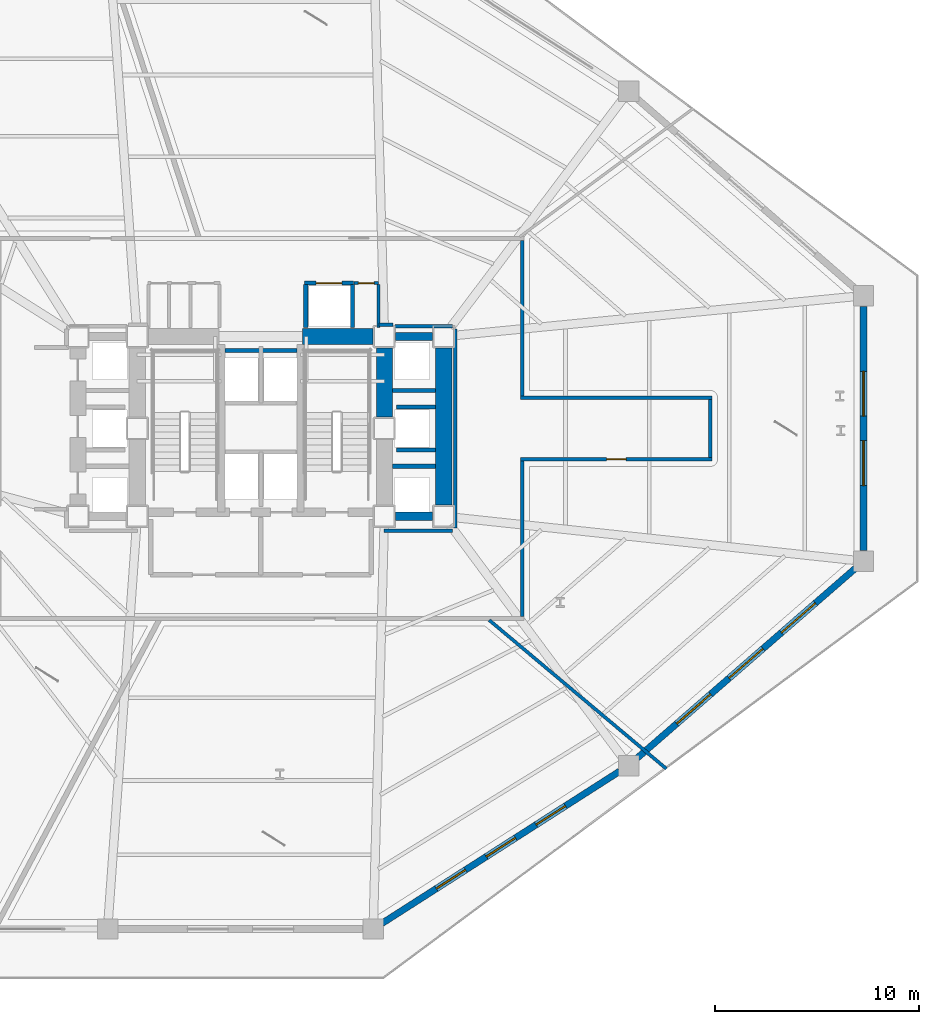
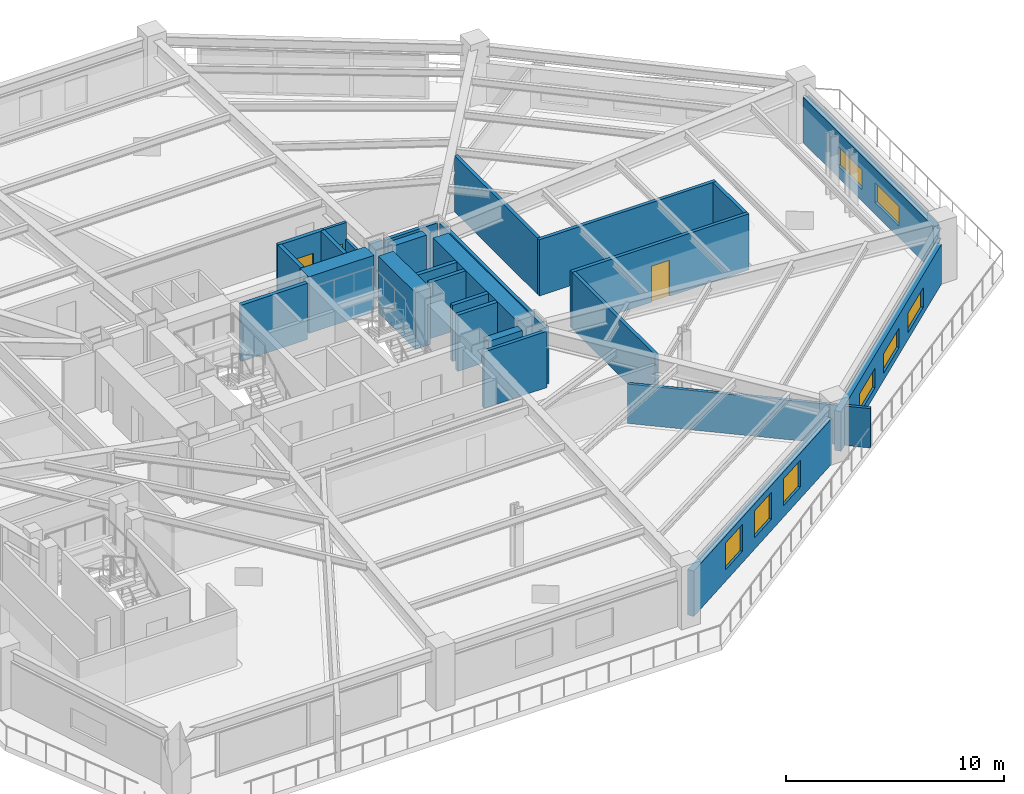
# One storey, part 7 of 12: 28 walls, 8 windows, 3 doors, 11 openings.
"""IFC4 building model written with IfcOpenShell, lengths in metres."""

from ifc_helpers import new_model, si_unit, direction, frame, frame_2d, origin, place, context, subcontext, project, spatial, rectangle, extrude, material, layer, layer_set, type_object, element, fill, save


model = new_model("IFC4")

# Units and contexts
model_context = context("Model", 3, precision=1e-05, world=origin(), true_north=direction((0.0, 1.0)))
body_context = subcontext(model_context, "Body", "Model", "MODEL_VIEW")
ifc_project = project(units=[si_unit("LENGTHUNIT", "METRE"), si_unit("AREAUNIT", "SQUARE_METRE"), si_unit("VOLUMEUNIT", "CUBIC_METRE"), si_unit("PLANEANGLEUNIT", "RADIAN"), si_unit("MASSUNIT", "GRAM", prefix="KILO")], contexts=[model_context])

# Site, building, storey
site_placement = place(None, origin())
site = spatial("IfcSite", under=ifc_project, at=site_placement, CompositionType="ELEMENT")
building_placement = place(site_placement, origin())
building = spatial("IfcBuilding", under=site, at=building_placement, Name="Rocaltana Carrier Exchange", CompositionType="ELEMENT")
storey_placement = place(building_placement, frame((0.0, 0.0, 11.840087890625)))
storey = spatial("IfcBuildingStorey", under=building, at=storey_placement, Name="L04", CompositionType="ELEMENT", Elevation=11.840087890625)

# Walls
ifc_material_1 = material(Name="Double Acoustic Gypsum Partition", Category="gypsum")
ifc_layer_1 = layer(ifc_material_1, 0.159912109375)
ifc_layer_set_1 = layer_set([ifc_layer_1], Name="Double Acoustic Gypsum Partition")
wall_type_1 = type_object("IfcWallType", Name="Acoustic Studio Partition 160 EI60", PredefinedType="PARTITIONING", material=ifc_layer_set_1)
wall_1_placement = place(storey_placement, frame((11.1787109375, -9.3798828125, 0.0), z_axis=(0.0, 0.0, 1.0), x_axis=(0.766037025887, -0.642796449095, 0.0)))
element("IfcWall", 1, at=wall_1_placement, inside=storey, type_object=wall_type_1, Name="L04 Suite Divider Wall D2", PredefinedType="PARTITIONING", context=body_context, shape_type="SweptSolid", body=[
    extrude(rectangle(XDim=11.319580078125, YDim=0.159912109375, at=frame_2d((5.65966796875, 0.0))), origin(), (0.0, 0.0, 1.0), 2.205810546875),
])
ifc_material_2 = material(Name="Concrete C50/60", Category="concrete")
ifc_layer_2 = layer(ifc_material_2, 0.39990234375)
ifc_layer_set_2 = layer_set([ifc_layer_2], Name="Concrete C50/60")
wall_type_2 = type_object("IfcWallType", Name="Core Internal Shear Wall 400", PredefinedType="SHEAR", material=ifc_layer_set_2)
for number, where, z_axis, x_axis, name in (
    (2, (6.60009765625, 4.5, 0.0), (0.0, 0.0, 1.0), (1.0, 0.0, 0.0), "L04 Core Shear Wall CW-EWN"),
    (3, (6.60009765625, -4.300048828125, 0.0), (0.0, 0.0, 1.0), (1.0, 0.0, 0.0), "L04 Core Shear Wall CW-EWS"),
):
    element("IfcWall", number, at=place(storey_placement, frame(where, z_axis=z_axis, x_axis=x_axis)), inside=storey, type_object=wall_type_2, Name=name, PredefinedType="SHEAR", context=body_context, shape_type="SweptSolid", body=[
        extrude(rectangle(XDim=1.7998046875, YDim=0.39990234375, at=frame_2d((0.89990234375, 0.0))), origin(), (0.0, 0.0, 1.0), 3.177978515625),
    ])
ifc_material_3 = material(Name="Concrete C60/75", Category="concrete")
ifc_layer_3 = layer(ifc_material_3, 0.800048828125)
ifc_layer_set_3 = layer_set([ifc_layer_3], Name="Concrete C60/75")
wall_type_3 = type_object("IfcWallType", Name="Core Shear Wall 800", PredefinedType="SHEAR", material=ifc_layer_set_3)
wall_2_placement = place(storey_placement, frame((6.050048828125, 0.550048828125, 0.0), z_axis=(0.0, 0.0, 1.0), x_axis=(0.0, 1.0, 0.0)))
element("IfcWall", 4, at=wall_2_placement, inside=storey, type_object=wall_type_3, Name="L04 Core Shear Wall CW-EN", PredefinedType="SHEAR", context=body_context, shape_type="SweptSolid", body=[
    extrude(rectangle(XDim=3.39990234375, YDim=0.800048828125, at=frame_2d((1.699951171875, 0.0))), origin(), (0.0, 0.0, 1.0), 3.177978515625),
])
wall_3_placement = place(storey_placement, frame((2.050048828125, 4.5, 0.0), z_axis=(0.0, 0.0, 1.0), x_axis=(1.0, 0.0, 0.0)))
element("IfcWall", 5, at=wall_3_placement, inside=storey, type_object=wall_type_3, Name="L04 Core Shear Wall CW-N2", PredefinedType="SHEAR", context=body_context, shape_type="SweptSolid", body=[
    extrude(rectangle(XDim=3.449951171875, YDim=0.800048828125, at=frame_2d((1.72509765625, 0.0))), origin(), (0.0, 0.0, 1.0), 3.177978515625),
])
wall_4_placement = place(storey_placement, frame((8.949951171875, -3.75, 0.0), z_axis=(0.0, 0.0, 1.0), x_axis=(0.0, 1.0, 0.0)))
element("IfcWall", 6, at=wall_4_placement, inside=storey, type_object=wall_type_3, Name="L04 Core Shear Wall CW-EW", PredefinedType="SHEAR", context=body_context, shape_type="SweptSolid", body=[
    extrude(rectangle(XDim=7.699951171875, YDim=0.800048828125, at=frame_2d((3.85009765625, 0.0))), origin(), (0.0, 0.0, 1.0), 3.177978515625),
])
ifc_material_4 = material(Name="Gypsum & Steel Stud Partition", Category="steel")
ifc_layer_4 = layer(ifc_material_4, 0.179931640625)
ifc_layer_set_4 = layer_set([ifc_layer_4], Name="Gypsum & Steel Stud Partition")
wall_type_4 = type_object("IfcWallType", Name="Corridor Fire Partition 180 EI60", PredefinedType="PARTITIONING", material=ifc_layer_set_4)
wall_5_placement = place(storey_placement, frame((12.800048828125, 9.2099609375, 0.0), z_axis=(0.0, 0.0, 1.0), x_axis=(0.0, -1.0, 0.0)))
element("IfcWall", 7, at=wall_5_placement, inside=storey, type_object=wall_type_4, Name="L04 Corridor Partition 9", PredefinedType="PARTITIONING", context=body_context, shape_type="SweptSolid", body=[
    extrude(rectangle(XDim=7.619873046875, YDim=0.179931640625, at=frame_2d((3.81005859375, 0.0))), origin(), (0.0, 0.0, 1.0), 3.15283203125),
])
wall_6_placement = place(storey_placement, frame((12.7099609375, 1.5, 0.0), z_axis=(0.0, 0.0, 1.0), x_axis=(1.0, 0.0, 0.0)))
element("IfcWall", 8, at=wall_6_placement, inside=storey, type_object=wall_type_4, Name="L04 Corridor Partition 10", PredefinedType="PARTITIONING", context=body_context, shape_type="SweptSolid", body=[
    extrude(rectangle(XDim=9.380126953125, YDim=0.179931640625, at=frame_2d((4.68994140625, 0.0))), origin(), (0.0, 0.0, 1.0), 3.15283203125),
])
wall_7_placement = place(storey_placement, frame((22.0, 1.409912109375, 0.0), z_axis=(0.0, 0.0, 1.0), x_axis=(0.0, -1.0, 0.0)))
element("IfcWall", 9, at=wall_7_placement, inside=storey, type_object=wall_type_4, Name="L04 Corridor Partition 11", PredefinedType="PARTITIONING", context=body_context, shape_type="SweptSolid", body=[
    extrude(rectangle(XDim=2.81982421875, YDim=0.179931640625, at=frame_2d((1.409912109375, 0.0))), origin(), (0.0, 0.0, 1.0), 3.15283203125),
])

# Wall, opening, door
wall_8_placement = place(storey_placement, frame((22.090087890625, -1.5, 0.0), z_axis=(0.0, 0.0, 1.0), x_axis=(-1.0, 0.0, 0.0)))
wall_8 = element("IfcWall", 10, at=wall_8_placement, inside=storey, type_object=wall_type_4, Name="L04 Corridor Partition 12", PredefinedType="PARTITIONING", context=body_context, shape_type="SweptSolid", body=[
    extrude(rectangle(XDim=9.380126953125, YDim=0.179931640625, at=frame_2d((4.68994140625, 0.0))), origin(), (0.0, 0.0, 1.0), 3.15283203125),
])
opening_1_placement = place(wall_8_placement, frame((4.2099609375, 0.0, 0.0)))
opening_1 = element("IfcOpeningElement", 11, at=opening_1_placement, cuts=wall_8, Name="Opening D-RM098", PredefinedType="OPENING", context=body_context, shape_type="SweptSolid", body=[
    extrude(rectangle(XDim=0.9599609375, YDim=2.02001953125, at=frame_2d((0.47998046875, 1.010009765625))), frame((0.0, 0.099853515625, 0.0), z_axis=(0.0, -1.0, 0.0), x_axis=(1.0, 0.0, 0.0)), (0.0, 0.0, 1.0), 0.199951171875),
])
ifc_material_5 = material(Name="Engineered Hardwood Timber", Category="wood")
door_type_1 = type_object("IfcDoorType", Name="Workspace Single Door 960x2020", OperationType="NOTDEFINED", PredefinedType="DOOR", material=ifc_material_5)
door_1_placement = place(opening_1_placement, origin())
door_1 = element("IfcDoor", 12, at=door_1_placement, inside=storey, type_object=door_type_1, Name="L04 Network Engineering Studio Entrance Door", OperationType="SINGLE_SWING_LEFT", OverallHeight=2.02001953125, OverallWidth=0.9599609375, PredefinedType="DOOR", context=body_context, shape_type="SweptSolid", body=[
    extrude(rectangle(XDim=0.9599609375, YDim=2.02001953125, at=frame_2d((0.47998046875, 1.010009765625))), frame((0.0, 0.02490234375, 0.0), z_axis=(0.0, -1.0, 0.0), x_axis=(1.0, 0.0, 0.0)), (0.0, 0.0, 1.0), 0.050048828125),
])
fill(opening_1, door_1)

# Walls
wall_9_placement = place(storey_placement, frame((12.800048828125, -1.590087890625, 0.0), z_axis=(0.0, 0.0, 1.0), x_axis=(0.0, -1.0, 0.0)))
element("IfcWall", 13, at=wall_9_placement, inside=storey, type_object=wall_type_4, Name="L04 Corridor Partition 13", PredefinedType="PARTITIONING", context=body_context, shape_type="SweptSolid", body=[
    extrude(rectangle(XDim=7.619873046875, YDim=0.179931640625, at=frame_2d((3.81005859375, 0.0))), origin(), (0.0, 0.0, 1.0), 3.15283203125),
])
wall_10_placement = place(storey_placement, frame((6.030029296875, -5.010009765625, 0.0), z_axis=(0.0, 0.0, 1.0), x_axis=(1.0, 0.0, 0.0)))
element("IfcWall", 14, at=wall_10_placement, inside=storey, type_object=wall_type_4, Name="L04 Corridor Partition 26", PredefinedType="PARTITIONING", context=body_context, shape_type="SweptSolid", body=[
    extrude(rectangle(XDim=3.340087890625, YDim=0.179931640625, at=frame_2d((1.669921875, 0.0))), origin(), (0.0, 0.0, 1.0), 3.15283203125),
])
wall_11_placement = place(storey_placement, frame((9.510009765625, -4.8701171875, 0.0), z_axis=(0.0, 0.0, 1.0), x_axis=(0.0, 1.0, 0.0)))
element("IfcWall", 15, at=wall_11_placement, inside=storey, type_object=wall_type_4, Name="L04 Corridor Partition 27", PredefinedType="PARTITIONING", context=body_context, shape_type="SweptSolid", body=[
    extrude(rectangle(XDim=9.740234375, YDim=0.179931640625, at=frame_2d((4.8701171875, 0.0))), origin(), (0.0, 0.0, 1.0), 3.15283203125),
])
wall_12_placement = place(storey_placement, frame((9.3701171875, 5.010009765625, 0.0), z_axis=(0.0, 0.0, 1.0), x_axis=(-1.0, 0.0, 0.0)))
element("IfcWall", 16, at=wall_12_placement, inside=storey, type_object=wall_type_4, Name="L04 Corridor Partition 28", PredefinedType="PARTITIONING", context=body_context, shape_type="SweptSolid", body=[
    extrude(rectangle(XDim=2.807861328125, YDim=0.179931640625, at=frame_2d((1.40380859375, 0.0))), origin(), (0.0, 0.0, 1.0), 3.15283203125),
])
wall_13_placement = place(storey_placement, frame((6.469970703125, 5.080078125, 0.0), z_axis=(0.0, 0.0, 1.0), x_axis=(-1.0, 0.0, 0.0)))
element("IfcWall", 17, at=wall_13_placement, inside=storey, type_object=wall_type_4, Name="L04 Corridor Partition 29", PredefinedType="PARTITIONING", context=body_context, shape_type="SweptSolid", body=[
    extrude(rectangle(XDim=0.679931640625, YDim=0.179931640625, at=frame_2d((0.33984375, 0.0))), origin(), (0.0, 0.0, 1.0), 3.15283203125),
])
ifc_material_6 = material(Name="Reinforced Concrete Block C35/45", Category="concrete")
ifc_layer_5 = layer(ifc_material_6, 0.199951171875)
ifc_layer_set_5 = layer_set([ifc_layer_5], Name="Reinforced Concrete Block C35/45")
wall_type_5 = type_object("IfcWallType", Name="Lift Hoistway Enclosure Wall 200 EI120", PredefinedType="PARTITIONING", material=ifc_layer_set_5)
wall_14_placement = place(storey_placement, frame((-1.760009765625, 3.820068359375, 0.0), z_axis=(0.0, 0.0, 1.0), x_axis=(1.0, 0.0, 0.0)))
element("IfcWall", 18, at=wall_14_placement, inside=storey, type_object=wall_type_5, Name="L04 High-Rise Lift Front Wall", PredefinedType="PARTITIONING", context=body_context, shape_type="SweptSolid", body=[
    extrude(rectangle(XDim=3.52001953125, YDim=0.199951171875, at=frame_2d((1.760009765625, 0.0))), origin(), (0.0, 0.0, 1.0), 3.15283203125),
])
for number, where, z_axis, x_axis, name in (
    (19, (2.199951171875, 4.949951171875, 0.0), (0.0, 0.0, 1.0), (0.0, 1.0, 0.0), "L04 Goods Lift West Wall"),
    (20, (4.47998046875, 4.949951171875, 0.0), (0.0, 0.0, 1.0), (0.0, 1.0, 0.0), "L04 Goods Lift East Wall"),
):
    element("IfcWall", number, at=place(storey_placement, frame(where, z_axis=z_axis, x_axis=x_axis)), inside=storey, type_object=wall_type_5, Name=name, PredefinedType="PARTITIONING", context=body_context, shape_type="SweptSolid", body=[
        extrude(rectangle(XDim=2.10009765625, YDim=0.199951171875, at=frame_2d((1.050048828125, 0.0))), origin(), (0.0, 0.0, 1.0), 3.15283203125),
    ])

# Wall, opening, door
wall_15_placement = place(storey_placement, frame((2.14990234375, 7.1201171875, 0.0), z_axis=(0.0, 0.0, 1.0), x_axis=(1.0, 0.0, 0.0)))
wall_15 = element("IfcWall", 21, at=wall_15_placement, inside=storey, type_object=wall_type_5, Name="L04 Goods Lift Front Wall", PredefinedType="PARTITIONING", context=body_context, shape_type="SweptSolid", body=[
    extrude(rectangle(XDim=2.380126953125, YDim=0.199951171875, at=frame_2d((1.18994140625, 0.0))), origin(), (0.0, 0.0, 1.0), 3.15283203125),
])
opening_2_placement = place(wall_15_placement, frame((0.56005859375, 0.0, 0.0)))
opening_2 = element("IfcOpeningElement", 22, at=opening_2_placement, cuts=wall_15, Name="Opening LD-130", PredefinedType="OPENING", context=body_context, shape_type="SweptSolid", body=[
    extrude(rectangle(XDim=1.260009765625, YDim=2.06005859375, at=frame_2d((0.6298828125, 1.030029296875))), frame((0.0, 0.10986328125, 0.0), z_axis=(0.0, -1.0, 0.0), x_axis=(1.0, 0.0, 0.0)), (0.0, 0.0, 1.0), 0.219970703125),
])
ifc_material_7 = material(Name="Brushed Stainless Sliding Door Leaf", Category="steel")
door_type_2 = type_object("IfcDoorType", Name="Goods Lift Landing Sliding Door 1260x2060", OperationType="NOTDEFINED", PredefinedType="DOOR", material=ifc_material_7)
door_2_placement = place(opening_2_placement, origin())
door_2 = element("IfcDoor", 23, at=door_2_placement, inside=storey, type_object=door_type_2, Name="L04 Goods Lift GL-1 Landing Door", OperationType="SLIDING_TO_LEFT", OverallHeight=2.06005859375, OverallWidth=1.260009765625, PredefinedType="DOOR", context=body_context, shape_type="SweptSolid", body=[
    extrude(rectangle(XDim=1.260009765625, YDim=2.06005859375, at=frame_2d((0.6298828125, 1.030029296875))), frame((0.0, 0.02490234375, 0.0), z_axis=(0.0, -1.0, 0.0), x_axis=(1.0, 0.0, 0.0)), (0.0, 0.0, 1.0), 0.050048828125),
])
fill(opening_2, door_2)

# Walls
for number, where, z_axis, x_axis, name in (
    (24, (6.449951171875, -1.85009765625, 0.0), (0.0, 0.0, 1.0), (1.0, 0.0, 0.0), "L04 Mid-Rise Shaft Divider 1"),
    (25, (6.449951171875, 1.85009765625, 0.0), (0.0, 0.0, 1.0), (1.0, 0.0, 0.0), "L04 Mid-Rise Shaft Divider 2"),
):
    element("IfcWall", number, at=place(storey_placement, frame(where, z_axis=z_axis, x_axis=x_axis)), inside=storey, type_object=wall_type_5, Name=name, PredefinedType="PARTITIONING", context=body_context, shape_type="SweptSolid", body=[
        extrude(rectangle(XDim=2.10009765625, YDim=0.199951171875, at=frame_2d((1.050048828125, 0.0))), origin(), (0.0, 0.0, 1.0), 3.15283203125),
    ])
for number, where, z_axis, x_axis, name in (
    (26, (6.639892578125, -1.050048828125, 0.0), (0.0, 0.0, 1.0), (1.0, 0.0, 0.0), "L04 Mid-Rise Center Shaft Wall South"),
    (27, (6.639892578125, 1.050048828125, 0.0), (0.0, 0.0, 1.0), (1.0, 0.0, 0.0), "L04 Mid-Rise Center Shaft Wall North"),
):
    element("IfcWall", number, at=place(storey_placement, frame(where, z_axis=z_axis, x_axis=x_axis)), inside=storey, type_object=wall_type_5, Name=name, PredefinedType="PARTITIONING", context=body_context, shape_type="SweptSolid", body=[
        extrude(rectangle(XDim=1.91015625, YDim=0.199951171875, at=frame_2d((0.955078125, 0.0))), origin(), (0.0, 0.0, 1.0), 3.15283203125),
    ])

# Wall, openings, windows
ifc_material_8 = material(Name="Precast sandstone concrete C45/55", Category="masonry")
ifc_layer_6 = layer(ifc_material_8, 0.320068359375)
ifc_layer_set_6 = layer_set([ifc_layer_6], Name="Precast sandstone concrete C45/55")
wall_type_6 = type_object("IfcWallType", Name="Precast Sandstone Facade Wall 320", PredefinedType="SOLIDWALL", material=ifc_layer_set_6)
wall_16_placement = place(storey_placement, frame((17.56201171875, -16.7802734375, 0.0), z_axis=(0.0, 0.0, 1.0), x_axis=(-0.842268830443, -0.539057712368, 0.0)))
wall_16 = element("IfcWall", 28, at=wall_16_placement, inside=storey, type_object=wall_type_6, Name="L04 Sandstone Facade Wall B03", PredefinedType="SOLIDWALL", context=body_context, shape_type="SweptSolid", body=[
    extrude(rectangle(XDim=13.80078125, YDim=0.320068359375, at=frame_2d((6.900390625, 0.0))), origin(), (0.0, 0.0, 1.0), 2.5478515625),
])
opening_3_placement = place(wall_16_placement, frame((3.150390625, 0.0, 0.64990234375)))
opening_3 = element("IfcOpeningElement", 29, at=opening_3_placement, cuts=wall_16, Name="Opening W-02", PredefinedType="OPENING", context=body_context, shape_type="SweptSolid", body=[
    extrude(rectangle(XDim=1.699951171875, YDim=1.5, at=frame_2d((0.85009765625, 0.75))), frame((0.0, 0.169921875, 0.0), z_axis=(0.0, -1.0, 0.0), x_axis=(1.0, 0.0, 0.0)), (0.0, 0.0, 1.0), 0.340087890625),
])
opening_4_placement = place(wall_16_placement, frame((6.05029296875, 0.0, 0.64990234375)))
opening_4 = element("IfcOpeningElement", 30, at=opening_4_placement, cuts=wall_16, Name="Opening W-02", PredefinedType="OPENING", context=body_context, shape_type="SweptSolid", body=[
    extrude(rectangle(XDim=1.699951171875, YDim=1.5, at=frame_2d((0.85009765625, 0.75))), frame((0.0, 0.169921875, 0.0), z_axis=(0.0, -1.0, 0.0), x_axis=(1.0, 0.0, 0.0)), (0.0, 0.0, 1.0), 0.340087890625),
])
opening_5_placement = place(wall_16_placement, frame((8.950439453125, 0.0, 0.64990234375)))
opening_5 = element("IfcOpeningElement", 31, at=opening_5_placement, cuts=wall_16, Name="Opening W-02", PredefinedType="OPENING", context=body_context, shape_type="SweptSolid", body=[
    extrude(rectangle(XDim=1.699951171875, YDim=1.5, at=frame_2d((0.85009765625, 0.75))), frame((0.0, 0.169921875, 0.0), z_axis=(0.0, -1.0, 0.0), x_axis=(1.0, 0.0, 0.0)), (0.0, 0.0, 1.0), 0.340087890625),
])
ifc_material_9 = material(Name="Aluminium 6063-T6 & Double Glazing", Category="aluminium")
window_type_1 = type_object("IfcWindowType", Name="Podium Technical Window 1700x1500", PartitioningType="SINGLE_PANEL", PredefinedType="WINDOW", material=ifc_material_9)
window_1_placement = place(opening_3_placement, origin())
window_1 = element("IfcWindow", 32, at=window_1_placement, inside=storey, type_object=window_type_1, Name="L04 Punched Window B03-1", OverallHeight=1.5, OverallWidth=1.699951171875, PartitioningType="SINGLE_PANEL", PredefinedType="WINDOW", context=body_context, shape_type="SweptSolid", body=[
    extrude(rectangle(XDim=1.699951171875, YDim=1.5, at=frame_2d((0.85009765625, 0.75))), frame((0.0, 0.030029296875, 0.0), z_axis=(0.0, -1.0, 0.0), x_axis=(1.0, 0.0, 0.0)), (0.0, 0.0, 1.0), 0.06005859375),
])
fill(opening_3, window_1)
window_2_placement = place(opening_4_placement, origin())
window_2 = element("IfcWindow", 33, at=window_2_placement, inside=storey, type_object=window_type_1, Name="L04 Punched Window B03-2", OverallHeight=1.5, OverallWidth=1.699951171875, PartitioningType="SINGLE_PANEL", PredefinedType="WINDOW", context=body_context, shape_type="SweptSolid", body=[
    extrude(rectangle(XDim=1.699951171875, YDim=1.5, at=frame_2d((0.85009765625, 0.75))), frame((0.0, 0.030029296875, 0.0), z_axis=(0.0, -1.0, 0.0), x_axis=(1.0, 0.0, 0.0)), (0.0, 0.0, 1.0), 0.06005859375),
])
fill(opening_4, window_2)
window_3_placement = place(opening_5_placement, origin())
window_3 = element("IfcWindow", 34, at=window_3_placement, inside=storey, type_object=window_type_1, Name="L04 Punched Window B03-3", OverallHeight=1.5, OverallWidth=1.699951171875, PartitioningType="SINGLE_PANEL", PredefinedType="WINDOW", context=body_context, shape_type="SweptSolid", body=[
    extrude(rectangle(XDim=1.699951171875, YDim=1.5, at=frame_2d((0.85009765625, 0.75))), frame((0.0, 0.030029296875, 0.0), z_axis=(0.0, -1.0, 0.0), x_axis=(1.0, 0.0, 0.0)), (0.0, 0.0, 1.0), 0.06005859375),
])
fill(opening_5, window_3)

wall_17_placement = place(storey_placement, frame((29.107666015625, -6.84130859375, 0.0), z_axis=(0.0, 0.0, 1.0), x_axis=(-0.754615886195, -0.656166796098, 0.0)))
wall_17 = element("IfcWall", 35, at=wall_17_placement, inside=storey, type_object=wall_type_6, Name="L04 Sandstone Facade Wall B04", PredefinedType="SOLIDWALL", context=body_context, shape_type="SweptSolid", body=[
    extrude(rectangle(XDim=14.19970703125, YDim=0.320068359375, at=frame_2d((7.099853515625, 0.0))), origin(), (0.0, 0.0, 1.0), 2.220947265625),
])
opening_6_placement = place(wall_17_placement, frame((2.599853515625, 0.0, 0.39990234375)))
opening_6 = element("IfcOpeningElement", 36, at=opening_6_placement, cuts=wall_17, Name="Opening W-04", PredefinedType="OPENING", context=body_context, shape_type="SweptSolid", body=[
    extrude(rectangle(XDim=2.199951171875, YDim=1.10009765625, at=frame_2d((1.10009765625, 0.550048828125))), frame((0.0, 0.169921875, 0.0), z_axis=(0.0, -1.0, 0.0), x_axis=(1.0, 0.0, 0.0)), (0.0, 0.0, 1.0), 0.340087890625),
])
opening_7_placement = place(wall_17_placement, frame((6.0, 0.0, 0.39990234375)))
opening_7 = element("IfcOpeningElement", 37, at=opening_7_placement, cuts=wall_17, Name="Opening W-04", PredefinedType="OPENING", context=body_context, shape_type="SweptSolid", body=[
    extrude(rectangle(XDim=2.199951171875, YDim=1.10009765625, at=frame_2d((1.10009765625, 0.550048828125))), frame((0.0, 0.169921875, 0.0), z_axis=(0.0, -1.0, 0.0), x_axis=(1.0, 0.0, 0.0)), (0.0, 0.0, 1.0), 0.340087890625),
])
opening_8_placement = place(wall_17_placement, frame((9.39990234375, 0.0, 0.39990234375)))
opening_8 = element("IfcOpeningElement", 38, at=opening_8_placement, cuts=wall_17, Name="Opening W-04", PredefinedType="OPENING", context=body_context, shape_type="SweptSolid", body=[
    extrude(rectangle(XDim=2.199951171875, YDim=1.10009765625, at=frame_2d((1.10009765625, 0.550048828125))), frame((0.0, 0.169921875, 0.0), z_axis=(0.0, -1.0, 0.0), x_axis=(1.0, 0.0, 0.0)), (0.0, 0.0, 1.0), 0.340087890625),
])
ifc_material_10 = material(Name="Aluminium 6063-T6 & Double Glazing", Category="aluminium")
window_type_2 = type_object("IfcWindowType", Name="Podium Clerestory Window 2200x1100", PartitioningType="SINGLE_PANEL", PredefinedType="WINDOW", material=ifc_material_10)
window_4_placement = place(opening_6_placement, origin())
window_4 = element("IfcWindow", 39, at=window_4_placement, inside=storey, type_object=window_type_2, Name="L04 Punched Window B04-1", OverallHeight=1.10009765625, OverallWidth=2.199951171875, PartitioningType="SINGLE_PANEL", PredefinedType="WINDOW", context=body_context, shape_type="SweptSolid", body=[
    extrude(rectangle(XDim=2.199951171875, YDim=1.10009765625, at=frame_2d((1.10009765625, 0.550048828125))), frame((0.0, 0.030029296875, 0.0), z_axis=(0.0, -1.0, 0.0), x_axis=(1.0, 0.0, 0.0)), (0.0, 0.0, 1.0), 0.06005859375),
])
fill(opening_6, window_4)
window_5_placement = place(opening_7_placement, origin())
window_5 = element("IfcWindow", 40, at=window_5_placement, inside=storey, type_object=window_type_2, Name="L04 Punched Window B04-2", OverallHeight=1.10009765625, OverallWidth=2.199951171875, PartitioningType="SINGLE_PANEL", PredefinedType="WINDOW", context=body_context, shape_type="SweptSolid", body=[
    extrude(rectangle(XDim=2.199951171875, YDim=1.10009765625, at=frame_2d((1.10009765625, 0.550048828125))), frame((0.0, 0.030029296875, 0.0), z_axis=(0.0, -1.0, 0.0), x_axis=(1.0, 0.0, 0.0)), (0.0, 0.0, 1.0), 0.06005859375),
])
fill(opening_7, window_5)
window_6_placement = place(opening_8_placement, origin())
window_6 = element("IfcWindow", 41, at=window_6_placement, inside=storey, type_object=window_type_2, Name="L04 Punched Window B04-3", OverallHeight=1.10009765625, OverallWidth=2.199951171875, PartitioningType="SINGLE_PANEL", PredefinedType="WINDOW", context=body_context, shape_type="SweptSolid", body=[
    extrude(rectangle(XDim=2.199951171875, YDim=1.10009765625, at=frame_2d((1.10009765625, 0.550048828125))), frame((0.0, 0.030029296875, 0.0), z_axis=(0.0, -1.0, 0.0), x_axis=(1.0, 0.0, 0.0)), (0.0, 0.0, 1.0), 0.06005859375),
])
fill(opening_8, window_6)

wall_18_placement = place(storey_placement, frame((29.5, 5.97998046875, 0.0), z_axis=(0.0, 0.0, 1.0), x_axis=(0.0, -1.0, 0.0)))
wall_18 = element("IfcWall", 42, at=wall_18_placement, inside=storey, type_object=wall_type_6, Name="L04 Sandstone Facade Wall B05", PredefinedType="SOLIDWALL", context=body_context, shape_type="SweptSolid", body=[
    extrude(rectangle(XDim=11.9599609375, YDim=0.320068359375, at=frame_2d((5.97998046875, 0.0))), origin(), (0.0, 0.0, 1.0), 2.5478515625),
])
opening_9_placement = place(wall_18_placement, frame((3.179931640625, 0.0, 0.64990234375)))
opening_9 = element("IfcOpeningElement", 43, at=opening_9_placement, cuts=wall_18, Name="Opening W-04", PredefinedType="OPENING", context=body_context, shape_type="SweptSolid", body=[
    extrude(rectangle(XDim=2.199951171875, YDim=1.10009765625, at=frame_2d((1.10009765625, 0.550048828125))), frame((0.0, 0.169921875, 0.0), z_axis=(0.0, -1.0, 0.0), x_axis=(1.0, 0.0, 0.0)), (0.0, 0.0, 1.0), 0.340087890625),
])
opening_10_placement = place(wall_18_placement, frame((6.580078125, 0.0, 0.64990234375)))
opening_10 = element("IfcOpeningElement", 44, at=opening_10_placement, cuts=wall_18, Name="Opening W-04", PredefinedType="OPENING", context=body_context, shape_type="SweptSolid", body=[
    extrude(rectangle(XDim=2.199951171875, YDim=1.10009765625, at=frame_2d((1.10009765625, 0.550048828125))), frame((0.0, 0.169921875, 0.0), z_axis=(0.0, -1.0, 0.0), x_axis=(1.0, 0.0, 0.0)), (0.0, 0.0, 1.0), 0.340087890625),
])
window_7_placement = place(opening_9_placement, origin())
window_7 = element("IfcWindow", 45, at=window_7_placement, inside=storey, type_object=window_type_2, Name="L04 Punched Window B05-1", OverallHeight=1.10009765625, OverallWidth=2.199951171875, PartitioningType="SINGLE_PANEL", PredefinedType="WINDOW", context=body_context, shape_type="SweptSolid", body=[
    extrude(rectangle(XDim=2.199951171875, YDim=1.10009765625, at=frame_2d((1.10009765625, 0.550048828125))), frame((0.0, 0.030029296875, 0.0), z_axis=(0.0, -1.0, 0.0), x_axis=(1.0, 0.0, 0.0)), (0.0, 0.0, 1.0), 0.06005859375),
])
fill(opening_9, window_7)
window_8_placement = place(opening_10_placement, origin())
window_8 = element("IfcWindow", 46, at=window_8_placement, inside=storey, type_object=window_type_2, Name="L04 Punched Window B05-2", OverallHeight=1.10009765625, OverallWidth=2.199951171875, PartitioningType="SINGLE_PANEL", PredefinedType="WINDOW", context=body_context, shape_type="SweptSolid", body=[
    extrude(rectangle(XDim=2.199951171875, YDim=1.10009765625, at=frame_2d((1.10009765625, 0.550048828125))), frame((0.0, 0.030029296875, 0.0), z_axis=(0.0, -1.0, 0.0), x_axis=(1.0, 0.0, 0.0)), (0.0, 0.0, 1.0), 0.06005859375),
])
fill(opening_10, window_8)

# Wall
ifc_material_11 = material(Name="Moisture-Resistant Masonry C30/37", Category="masonry")
ifc_layer_7 = layer(ifc_material_11, 0.139892578125)
ifc_layer_set_7 = layer_set([ifc_layer_7], Name="Moisture-Resistant Masonry C30/37")
wall_type_7 = type_object("IfcWallType", Name="Wet-Area Sanitary Partition 140", PredefinedType="PARTITIONING", material=ifc_layer_set_7)
wall_19_placement = place(storey_placement, frame((5.760009765625, 4.949951171875, 0.0), z_axis=(0.0, 0.0, 1.0), x_axis=(0.0, 1.0, 0.0)))
element("IfcWall", 47, at=wall_19_placement, inside=storey, type_object=wall_type_7, Name="L04 Riser East Wall", PredefinedType="PARTITIONING", context=body_context, shape_type="SweptSolid", body=[
    extrude(rectangle(XDim=2.10009765625, YDim=0.139892578125, at=frame_2d((1.050048828125, 0.0))), origin(), (0.0, 0.0, 1.0), 2.205810546875),
])

# Wall, opening, door
wall_20_placement = place(storey_placement, frame((4.56005859375, 7.1201171875, 0.0), z_axis=(0.0, 0.0, 1.0), x_axis=(1.0, 0.0, 0.0)))
wall_20 = element("IfcWall", 48, at=wall_20_placement, inside=storey, type_object=wall_type_7, Name="L04 Riser North Wall", PredefinedType="PARTITIONING", context=body_context, shape_type="SweptSolid", body=[
    extrude(rectangle(XDim=1.199951171875, YDim=0.139892578125, at=frame_2d((0.60009765625, 0.0))), origin(), (0.0, 0.0, 1.0), 3.15283203125),
])
opening_11_placement = place(wall_20_placement, frame((0.2099609375, 0.0, 0.0)))
opening_11 = element("IfcOpeningElement", 49, at=opening_11_placement, cuts=wall_20, Name="Opening D-RS082", PredefinedType="OPENING", context=body_context, shape_type="SweptSolid", body=[
    extrude(rectangle(XDim=0.780029296875, YDim=2.010009765625, at=frame_2d((0.39013671875, 1.0048828125))), frame((0.0, 0.079833984375, 0.0), z_axis=(0.0, -1.0, 0.0), x_axis=(1.0, 0.0, 0.0)), (0.0, 0.0, 1.0), 0.159912109375),
])
ifc_material_12 = material(Name="Hollow Metal Access Door Leaf", Category="steel")
door_type_3 = type_object("IfcDoorType", Name="Riser & Service Closet Door 780x2010", OperationType="NOTDEFINED", PredefinedType="DOOR", material=ifc_material_12)
door_3_placement = place(opening_11_placement, origin())
door_3 = element("IfcDoor", 50, at=door_3_placement, inside=storey, type_object=door_type_3, Name="L04 Signal Riser Closet Door", OperationType="SINGLE_SWING_LEFT", OverallHeight=2.010009765625, OverallWidth=0.780029296875, PredefinedType="DOOR", context=body_context, shape_type="SweptSolid", body=[
    extrude(rectangle(XDim=0.780029296875, YDim=2.010009765625, at=frame_2d((0.39013671875, 1.0048828125))), frame((0.0, 0.02490234375, 0.0), z_axis=(0.0, -1.0, 0.0), x_axis=(1.0, 0.0, 0.0)), (0.0, 0.0, 1.0), 0.050048828125),
])
fill(opening_11, door_3)

save(model, "model.ifc")
